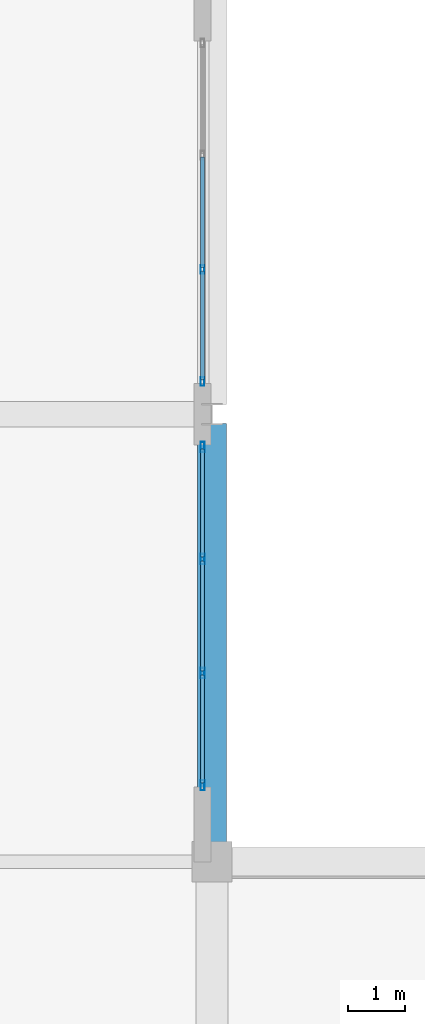
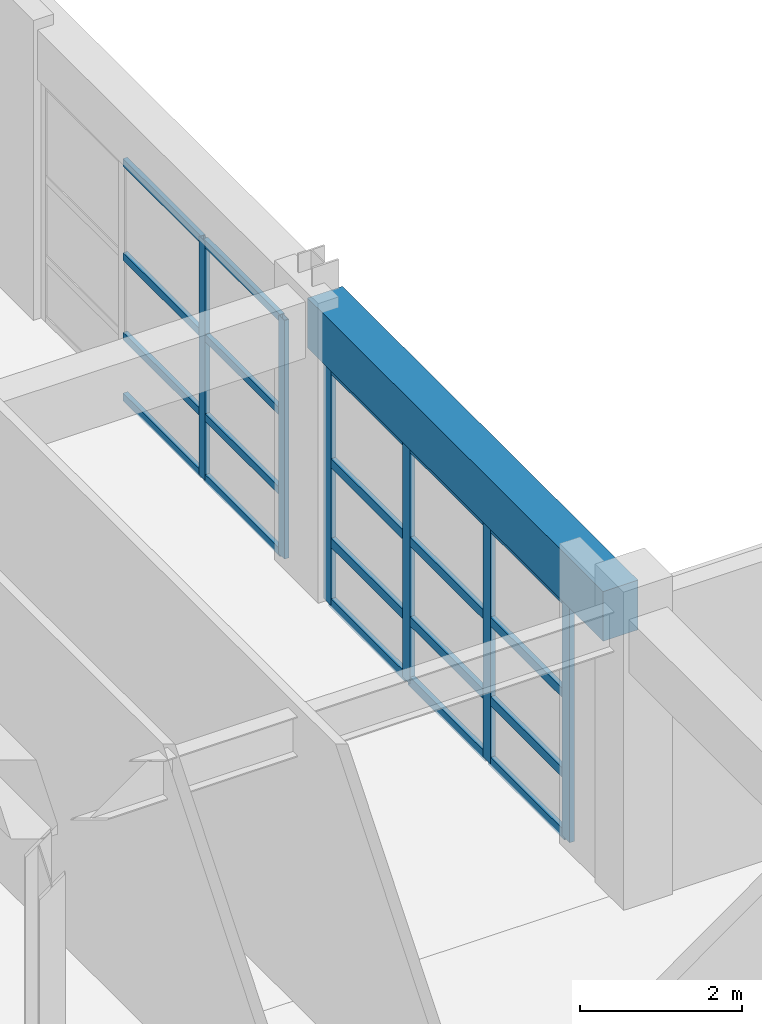
# One storey, part 16 of 123: 26 members, 1 beam, 2 elements without a shape of their own.
"""IFC4 building model written with IfcOpenShell, lengths in metres."""

from ifc_helpers import new_model, si_unit, direction, frame, origin, origin_2d, place, context, subcontext, project, spatial, rectangle, hollow_rectangle, extrude, material, layer, layer_set, material_profile, profile_set, type_object, element, aggregate, save


model = new_model("IFC4")

# Units and contexts
model_context = context("Model", 3, precision=1e-05, world=origin(), true_north=direction((0.0, 1.0)))
body_context = subcontext(model_context, "Body", "Model", "MODEL_VIEW")
ifc_project = project(units=[si_unit("LENGTHUNIT", "METRE"), si_unit("AREAUNIT", "SQUARE_METRE"), si_unit("VOLUMEUNIT", "CUBIC_METRE"), si_unit("PLANEANGLEUNIT", "RADIAN"), si_unit("MASSUNIT", "GRAM", prefix="KILO")], contexts=[model_context])

# Site, building, storey
site_placement = place(None, origin())
site = spatial("IfcSite", under=ifc_project, at=site_placement, CompositionType="ELEMENT")
building_placement = place(site_placement, origin())
building = spatial("IfcBuilding", under=site, at=building_placement, Name="Quendrovan Civic Courthouse", CompositionType="ELEMENT")
storey_placement = place(building_placement, frame((0.0, 0.0, 5.39990234375)))
storey = spatial("IfcBuildingStorey", under=building, at=storey_placement, Name="L02", CompositionType="ELEMENT", Elevation=5.39990234375)

# Beam
ifc_material_1 = material(Name="Concrete C40/50", Category="concrete")
ifc_material_profile_1 = material_profile(ifc_material_1, rectangle(XDim=0.5, YDim=0.75, at=origin_2d()), Name="RC-BM-500x750")
ifc_profile_set_1 = profile_set([ifc_material_profile_1], Name="Concrete C40/50")
beam_type = type_object("IfcBeamType", Name="BM-RC750", PredefinedType="SPANDREL", material=ifc_profile_set_1)
beam_placement = place(storey_placement, frame((16.800048828125, 15.929931640625, 3.985107421875), z_axis=(0.0, 1.0, 0.0), x_axis=(-1.0, 0.0, 0.0)))
element("IfcBeam", 1, at=beam_placement, inside=storey, type_object=beam_type, Name="L02 Girder Y0624", PredefinedType="SPANDREL", context=body_context, shape_type="SweptSolid", body=[
    extrude(rectangle(XDim=0.5, YDim=0.75, at=origin_2d()), origin(), (0.0, 0.0, 1.0), 7.303955078125),
])

# Curtain wall, members
ifc_material_2 = material(Name="Bronze anodised aluminium and low-E glass", Category="aluminium")
ifc_layer = layer(ifc_material_2, 0.179931640625, Name="Bronze anodised aluminium and low-E glass")
ifc_layer_set = layer_set([ifc_layer], Name="Bronze anodised aluminium and low-E glass")
curtain_wall_type = type_object("IfcCurtainWallType", Name="CW-U60x36", PredefinedType="USERDEFINED", material=ifc_layer_set)
curtain_wall_1_placement = place(storey_placement, origin())
curtain_wall_1 = element("IfcCurtainWall", 2, at=curtain_wall_1_placement, inside=storey, type_object=curtain_wall_type, Name="L02 Unitised Hurricane Curtain Wall CW-078", ObjectType="UNITISED CURTAIN WALL", PredefinedType="USERDEFINED")
ifc_material_3 = material(Name="Bronze anodised aluminium", Category="aluminium")
ifc_material_profile_2 = material_profile(ifc_material_3, hollow_rectangle(XDim=0.070068359375, YDim=0.179931640625, WallThickness=0.00390625, at=origin_2d()), Name="CW-MULL-70x180")
ifc_profile_set_2 = profile_set([ifc_material_profile_2], Name="Bronze anodised aluminium")
member_type_1 = type_object("IfcMemberType", Name="CW-MULL-A", PredefinedType="MULLION", material=ifc_profile_set_2)
member_1_placement = place(storey_placement, frame((16.635009765625, 22.827880859375, 0.0), z_axis=(0.0, 0.0, 1.0), x_axis=(1.0, 0.0, 0.0)))
member_1 = element("IfcMember", 3, at=member_1_placement, type_object=member_type_1, Name="CW-078 mullion 1", PredefinedType="MULLION", context=body_context, shape_type="SweptSolid", body=[
    extrude(hollow_rectangle(XDim=0.070068359375, YDim=0.179931640625, WallThickness=0.00390625, at=origin_2d()), origin(), (0.0, 0.0, 1.0), 3.60009765625),
])
member_2_placement = place(storey_placement, frame((16.635009765625, 20.875244140625, 0.0), z_axis=(0.0, 0.0, 1.0), x_axis=(1.0, 0.0, 0.0)))
member_2 = element("IfcMember", 4, at=member_2_placement, type_object=member_type_1, Name="CW-078 mullion 2", PredefinedType="MULLION", context=body_context, shape_type="SweptSolid", body=[
    extrude(hollow_rectangle(XDim=0.070068359375, YDim=0.179931640625, WallThickness=0.00390625, at=origin_2d()), origin(), (0.0, 0.0, 1.0), 3.60009765625),
])
member_3_placement = place(storey_placement, frame((16.635009765625, 18.8876953125, 0.0), z_axis=(0.0, 0.0, 1.0), x_axis=(1.0, 0.0, 0.0)))
member_3 = element("IfcMember", 5, at=member_3_placement, type_object=member_type_1, Name="CW-078 mullion 3", PredefinedType="MULLION", context=body_context, shape_type="SweptSolid", body=[
    extrude(hollow_rectangle(XDim=0.070068359375, YDim=0.179931640625, WallThickness=0.00390625, at=origin_2d()), origin(), (0.0, 0.0, 1.0), 3.60009765625),
])
member_4_placement = place(storey_placement, frame((16.635009765625, 16.93505859375, 0.0), z_axis=(0.0, 0.0, 1.0), x_axis=(1.0, 0.0, 0.0)))
member_4 = element("IfcMember", 6, at=member_4_placement, type_object=member_type_1, Name="CW-078 mullion 4", PredefinedType="MULLION", context=body_context, shape_type="SweptSolid", body=[
    extrude(hollow_rectangle(XDim=0.070068359375, YDim=0.179931640625, WallThickness=0.00390625, at=origin_2d()), origin(), (0.0, 0.0, 1.0), 3.60009765625),
])

curtain_wall_2_placement = place(storey_placement, origin())
curtain_wall_2 = element("IfcCurtainWall", 7, at=curtain_wall_2_placement, inside=storey, type_object=curtain_wall_type, Name="L02 Unitised Hurricane Curtain Wall CW-077", ObjectType="UNITISED CURTAIN WALL", PredefinedType="USERDEFINED")
ifc_material_profile_3 = material_profile(ifc_material_3, hollow_rectangle(XDim=0.06494140625, YDim=0.14990234375, WallThickness=0.00390625, at=origin_2d()), Name="CW-MULL-65x150")
ifc_profile_set_3 = profile_set([ifc_material_profile_3], Name="Bronze anodised aluminium")
member_type_2 = type_object("IfcMemberType", Name="CW-MULL-B", PredefinedType="MULLION", material=ifc_profile_set_3)
member_5_placement = place(storey_placement, frame((16.635009765625, 25.924560546875, 0.0), z_axis=(0.0, 0.0, 1.0), x_axis=(1.0, 0.0, 0.0)))
member_5 = element("IfcMember", 8, at=member_5_placement, type_object=member_type_2, Name="CW-077 mullion 3", PredefinedType="MULLION", context=body_context, shape_type="SweptSolid", body=[
    extrude(hollow_rectangle(XDim=0.06494140625, YDim=0.14990234375, WallThickness=0.00390625, at=origin_2d()), origin(), (0.0, 0.0, 1.0), 3.60009765625),
])
member_6_placement = place(storey_placement, frame((16.635009765625, 23.969482421875, 0.0), z_axis=(0.0, 0.0, 1.0), x_axis=(1.0, 0.0, 0.0)))
member_6 = element("IfcMember", 9, at=member_6_placement, type_object=member_type_2, Name="CW-077 mullion 4", PredefinedType="MULLION", context=body_context, shape_type="SweptSolid", body=[
    extrude(hollow_rectangle(XDim=0.06494140625, YDim=0.14990234375, WallThickness=0.00390625, at=origin_2d()), origin(), (0.0, 0.0, 1.0), 3.60009765625),
])

# Member
ifc_material_profile_4 = material_profile(ifc_material_3, hollow_rectangle(XDim=0.070068359375, YDim=0.139892578125, WallThickness=0.00390625, at=origin_2d()), Name="CW-TRAN-70x140")
ifc_profile_set_4 = profile_set([ifc_material_profile_4], Name="Bronze anodised aluminium")
member_type_3 = type_object("IfcMemberType", Name="CW-TRAN-A", PredefinedType="USERDEFINED", material=ifc_profile_set_4)
member_7_placement = place(storey_placement, frame((16.635009765625, 22.79296875, 0.03515625), z_axis=(0.0, -1.0, 0.0), x_axis=(1.0, 0.0, 0.0)))
member_7 = element("IfcMember", 10, at=member_7_placement, type_object=member_type_3, Name="CW-078 transom 1.1", ObjectType="TRANSOM", PredefinedType="USERDEFINED", context=body_context, shape_type="SweptSolid", body=[
    extrude(hollow_rectangle(XDim=0.070068359375, YDim=0.139892578125, WallThickness=0.00390625, at=origin_2d()), origin(), (0.0, 0.0, 1.0), 1.882568359375),
])

member_8_placement = place(storey_placement, frame((16.635009765625, 22.79296875, 0.9501953125), z_axis=(0.0, -1.0, 0.0), x_axis=(1.0, 0.0, 0.0)))
member_8 = element("IfcMember", 11, at=member_8_placement, type_object=member_type_3, Name="CW-078 transom 1.2", ObjectType="TRANSOM", PredefinedType="USERDEFINED", context=body_context, shape_type="SweptSolid", body=[
    extrude(hollow_rectangle(XDim=0.070068359375, YDim=0.139892578125, WallThickness=0.00390625, at=origin_2d()), origin(), (0.0, 0.0, 1.0), 1.882568359375),
])

member_9_placement = place(storey_placement, frame((16.635009765625, 22.79296875, 2.150146484375), z_axis=(0.0, -1.0, 0.0), x_axis=(1.0, 0.0, 0.0)))
member_9 = element("IfcMember", 12, at=member_9_placement, type_object=member_type_3, Name="CW-078 transom 1.3", ObjectType="TRANSOM", PredefinedType="USERDEFINED", context=body_context, shape_type="SweptSolid", body=[
    extrude(hollow_rectangle(XDim=0.070068359375, YDim=0.139892578125, WallThickness=0.00390625, at=origin_2d()), origin(), (0.0, 0.0, 1.0), 1.882568359375),
])

member_10_placement = place(storey_placement, frame((16.635009765625, 22.79296875, 3.565185546875), z_axis=(0.0, -1.0, 0.0), x_axis=(1.0, 0.0, 0.0)))
member_10 = element("IfcMember", 13, at=member_10_placement, type_object=member_type_3, Name="CW-078 transom 1.4", ObjectType="TRANSOM", PredefinedType="USERDEFINED", context=body_context, shape_type="SweptSolid", body=[
    extrude(hollow_rectangle(XDim=0.070068359375, YDim=0.139892578125, WallThickness=0.00390625, at=origin_2d()), origin(), (0.0, 0.0, 1.0), 1.882568359375),
])

member_11_placement = place(storey_placement, frame((16.635009765625, 20.84033203125, 0.03515625), z_axis=(0.0, -1.0, 0.0), x_axis=(1.0, 0.0, 0.0)))
member_11 = element("IfcMember", 14, at=member_11_placement, type_object=member_type_3, Name="CW-078 transom 2.1", ObjectType="TRANSOM", PredefinedType="USERDEFINED", context=body_context, shape_type="SweptSolid", body=[
    extrude(hollow_rectangle(XDim=0.070068359375, YDim=0.139892578125, WallThickness=0.00390625, at=origin_2d()), origin(), (0.0, 0.0, 1.0), 1.917724609375),
])

member_12_placement = place(storey_placement, frame((16.635009765625, 20.84033203125, 0.9501953125), z_axis=(0.0, -1.0, 0.0), x_axis=(1.0, 0.0, 0.0)))
member_12 = element("IfcMember", 15, at=member_12_placement, type_object=member_type_3, Name="CW-078 transom 2.2", ObjectType="TRANSOM", PredefinedType="USERDEFINED", context=body_context, shape_type="SweptSolid", body=[
    extrude(hollow_rectangle(XDim=0.070068359375, YDim=0.139892578125, WallThickness=0.00390625, at=origin_2d()), origin(), (0.0, 0.0, 1.0), 1.917724609375),
])

member_13_placement = place(storey_placement, frame((16.635009765625, 20.84033203125, 2.150146484375), z_axis=(0.0, -1.0, 0.0), x_axis=(1.0, 0.0, 0.0)))
member_13 = element("IfcMember", 16, at=member_13_placement, type_object=member_type_3, Name="CW-078 transom 2.3", ObjectType="TRANSOM", PredefinedType="USERDEFINED", context=body_context, shape_type="SweptSolid", body=[
    extrude(hollow_rectangle(XDim=0.070068359375, YDim=0.139892578125, WallThickness=0.00390625, at=origin_2d()), origin(), (0.0, 0.0, 1.0), 1.917724609375),
])

member_14_placement = place(storey_placement, frame((16.635009765625, 20.84033203125, 3.565185546875), z_axis=(0.0, -1.0, 0.0), x_axis=(1.0, 0.0, 0.0)))
member_14 = element("IfcMember", 17, at=member_14_placement, type_object=member_type_3, Name="CW-078 transom 2.4", ObjectType="TRANSOM", PredefinedType="USERDEFINED", context=body_context, shape_type="SweptSolid", body=[
    extrude(hollow_rectangle(XDim=0.070068359375, YDim=0.139892578125, WallThickness=0.00390625, at=origin_2d()), origin(), (0.0, 0.0, 1.0), 1.917724609375),
])

member_15_placement = place(storey_placement, frame((16.635009765625, 18.852783203125, 0.03515625), z_axis=(0.0, -1.0, 0.0), x_axis=(1.0, 0.0, 0.0)))
member_15 = element("IfcMember", 18, at=member_15_placement, type_object=member_type_3, Name="CW-078 transom 3.1", ObjectType="TRANSOM", PredefinedType="USERDEFINED", context=body_context, shape_type="SweptSolid", body=[
    extrude(hollow_rectangle(XDim=0.070068359375, YDim=0.139892578125, WallThickness=0.00390625, at=origin_2d()), origin(), (0.0, 0.0, 1.0), 1.8828125),
])

member_16_placement = place(storey_placement, frame((16.635009765625, 18.852783203125, 0.9501953125), z_axis=(0.0, -1.0, 0.0), x_axis=(1.0, 0.0, 0.0)))
member_16 = element("IfcMember", 19, at=member_16_placement, type_object=member_type_3, Name="CW-078 transom 3.2", ObjectType="TRANSOM", PredefinedType="USERDEFINED", context=body_context, shape_type="SweptSolid", body=[
    extrude(hollow_rectangle(XDim=0.070068359375, YDim=0.139892578125, WallThickness=0.00390625, at=origin_2d()), origin(), (0.0, 0.0, 1.0), 1.8828125),
])

member_17_placement = place(storey_placement, frame((16.635009765625, 18.852783203125, 2.150146484375), z_axis=(0.0, -1.0, 0.0), x_axis=(1.0, 0.0, 0.0)))
member_17 = element("IfcMember", 20, at=member_17_placement, type_object=member_type_3, Name="CW-078 transom 3.3", ObjectType="TRANSOM", PredefinedType="USERDEFINED", context=body_context, shape_type="SweptSolid", body=[
    extrude(hollow_rectangle(XDim=0.070068359375, YDim=0.139892578125, WallThickness=0.00390625, at=origin_2d()), origin(), (0.0, 0.0, 1.0), 1.8828125),
])

member_18_placement = place(storey_placement, frame((16.635009765625, 18.852783203125, 3.565185546875), z_axis=(0.0, -1.0, 0.0), x_axis=(1.0, 0.0, 0.0)))
member_18 = element("IfcMember", 21, at=member_18_placement, type_object=member_type_3, Name="CW-078 transom 3.4", ObjectType="TRANSOM", PredefinedType="USERDEFINED", context=body_context, shape_type="SweptSolid", body=[
    extrude(hollow_rectangle(XDim=0.070068359375, YDim=0.139892578125, WallThickness=0.00390625, at=origin_2d()), origin(), (0.0, 0.0, 1.0), 1.8828125),
])

aggregate(curtain_wall_1, [member_1, member_2, member_3, member_4, member_7, member_8, member_9, member_10, member_11, member_12, member_13, member_14, member_15, member_16, member_17, member_18])

ifc_material_profile_5 = material_profile(ifc_material_3, hollow_rectangle(XDim=0.06494140625, YDim=0.114990234375, WallThickness=0.00390625, at=origin_2d()), Name="CW-TRAN-65x115")
ifc_profile_set_5 = profile_set([ifc_material_profile_5], Name="Bronze anodised aluminium")
member_type_4 = type_object("IfcMemberType", Name="CW-TRAN-B", PredefinedType="USERDEFINED", material=ifc_profile_set_5)
member_19_placement = place(storey_placement, frame((16.635009765625, 27.8798828125, 0.03271484375), z_axis=(0.0, -1.0, 0.0), x_axis=(1.0, 0.0, 0.0)))
member_19 = element("IfcMember", 22, at=member_19_placement, type_object=member_type_4, Name="CW-077 transom 2.1", ObjectType="TRANSOM", PredefinedType="USERDEFINED", context=body_context, shape_type="SweptSolid", body=[
    extrude(hollow_rectangle(XDim=0.06494140625, YDim=0.114990234375, WallThickness=0.00390625, at=origin_2d()), origin(), (0.0, 0.0, 1.0), 1.922607421875),
])

member_20_placement = place(storey_placement, frame((16.635009765625, 27.8798828125, 0.9501953125), z_axis=(0.0, -1.0, 0.0), x_axis=(1.0, 0.0, 0.0)))
member_20 = element("IfcMember", 23, at=member_20_placement, type_object=member_type_4, Name="CW-077 transom 2.2", ObjectType="TRANSOM", PredefinedType="USERDEFINED", context=body_context, shape_type="SweptSolid", body=[
    extrude(hollow_rectangle(XDim=0.06494140625, YDim=0.114990234375, WallThickness=0.00390625, at=origin_2d()), origin(), (0.0, 0.0, 1.0), 1.922607421875),
])

member_21_placement = place(storey_placement, frame((16.635009765625, 27.8798828125, 2.150146484375), z_axis=(0.0, -1.0, 0.0), x_axis=(1.0, 0.0, 0.0)))
member_21 = element("IfcMember", 24, at=member_21_placement, type_object=member_type_4, Name="CW-077 transom 2.3", ObjectType="TRANSOM", PredefinedType="USERDEFINED", context=body_context, shape_type="SweptSolid", body=[
    extrude(hollow_rectangle(XDim=0.06494140625, YDim=0.114990234375, WallThickness=0.00390625, at=origin_2d()), origin(), (0.0, 0.0, 1.0), 1.922607421875),
])

member_22_placement = place(storey_placement, frame((16.635009765625, 27.8798828125, 3.567626953125), z_axis=(0.0, -1.0, 0.0), x_axis=(1.0, 0.0, 0.0)))
member_22 = element("IfcMember", 25, at=member_22_placement, type_object=member_type_4, Name="CW-077 transom 2.4", ObjectType="TRANSOM", PredefinedType="USERDEFINED", context=body_context, shape_type="SweptSolid", body=[
    extrude(hollow_rectangle(XDim=0.06494140625, YDim=0.114990234375, WallThickness=0.00390625, at=origin_2d()), origin(), (0.0, 0.0, 1.0), 1.922607421875),
])

member_23_placement = place(storey_placement, frame((16.635009765625, 25.89208984375, 0.03271484375), z_axis=(0.0, -1.0, 0.0), x_axis=(1.0, 0.0, 0.0)))
member_23 = element("IfcMember", 26, at=member_23_placement, type_object=member_type_4, Name="CW-077 transom 3.1", ObjectType="TRANSOM", PredefinedType="USERDEFINED", context=body_context, shape_type="SweptSolid", body=[
    extrude(hollow_rectangle(XDim=0.06494140625, YDim=0.114990234375, WallThickness=0.00390625, at=origin_2d()), origin(), (0.0, 0.0, 1.0), 1.89013671875),
])

member_24_placement = place(storey_placement, frame((16.635009765625, 25.89208984375, 0.9501953125), z_axis=(0.0, -1.0, 0.0), x_axis=(1.0, 0.0, 0.0)))
member_24 = element("IfcMember", 27, at=member_24_placement, type_object=member_type_4, Name="CW-077 transom 3.2", ObjectType="TRANSOM", PredefinedType="USERDEFINED", context=body_context, shape_type="SweptSolid", body=[
    extrude(hollow_rectangle(XDim=0.06494140625, YDim=0.114990234375, WallThickness=0.00390625, at=origin_2d()), origin(), (0.0, 0.0, 1.0), 1.89013671875),
])

member_25_placement = place(storey_placement, frame((16.635009765625, 25.89208984375, 2.150146484375), z_axis=(0.0, -1.0, 0.0), x_axis=(1.0, 0.0, 0.0)))
member_25 = element("IfcMember", 28, at=member_25_placement, type_object=member_type_4, Name="CW-077 transom 3.3", ObjectType="TRANSOM", PredefinedType="USERDEFINED", context=body_context, shape_type="SweptSolid", body=[
    extrude(hollow_rectangle(XDim=0.06494140625, YDim=0.114990234375, WallThickness=0.00390625, at=origin_2d()), origin(), (0.0, 0.0, 1.0), 1.89013671875),
])

member_26_placement = place(storey_placement, frame((16.635009765625, 25.89208984375, 3.567626953125), z_axis=(0.0, -1.0, 0.0), x_axis=(1.0, 0.0, 0.0)))
member_26 = element("IfcMember", 29, at=member_26_placement, type_object=member_type_4, Name="CW-077 transom 3.4", ObjectType="TRANSOM", PredefinedType="USERDEFINED", context=body_context, shape_type="SweptSolid", body=[
    extrude(hollow_rectangle(XDim=0.06494140625, YDim=0.114990234375, WallThickness=0.00390625, at=origin_2d()), origin(), (0.0, 0.0, 1.0), 1.89013671875),
])

aggregate(curtain_wall_2, [member_5, member_6, member_19, member_20, member_21, member_22, member_23, member_24, member_25, member_26])

save(model, "model.ifc")
